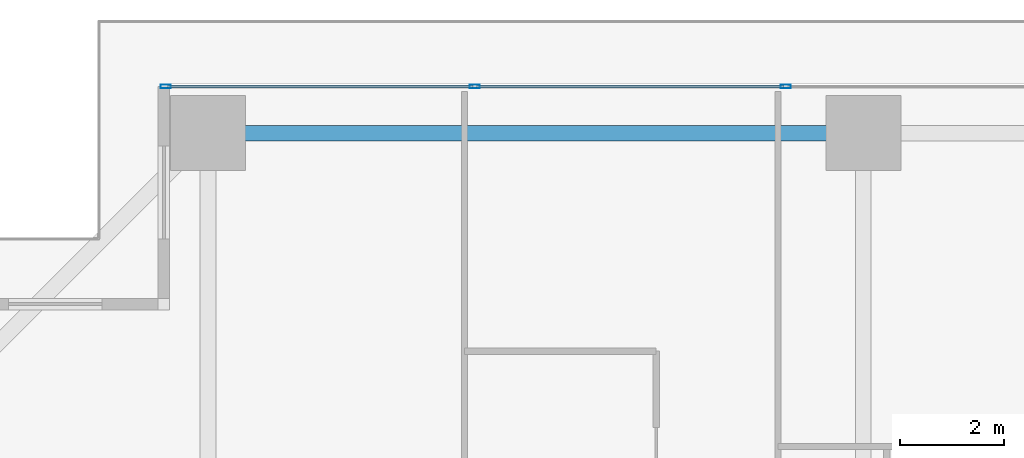
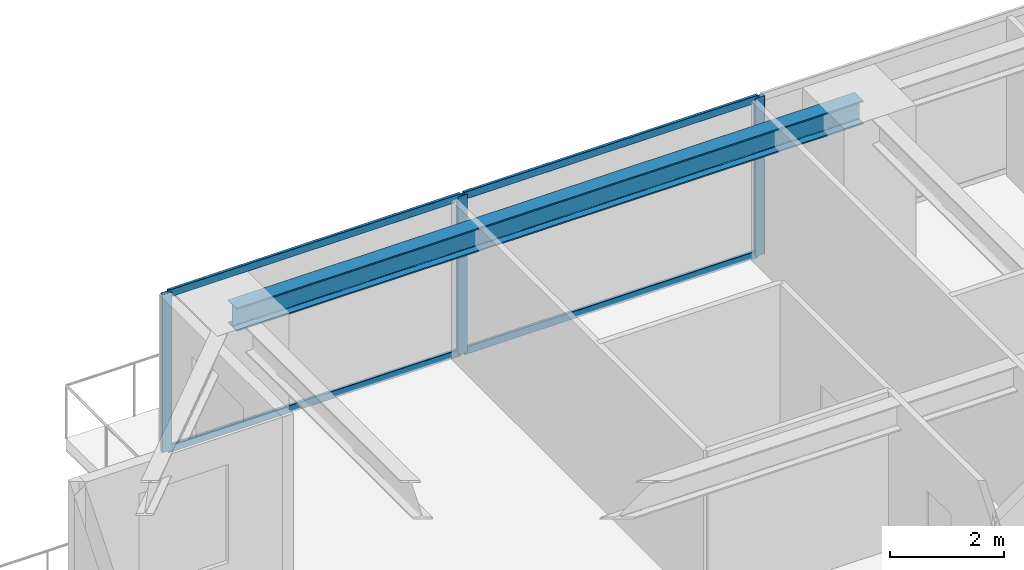
# One storey, part 20 of 40: 7 members, 1 beam, 1 element without a shape of its own.
"""IFC4 building model written with IfcOpenShell, lengths in metres."""

import ifcopenshell
import ifcopenshell.guid

model = None  # the IFC model being written
_history = None  # IfcOwnerHistory: only IFC2X3 demands one
_inside = {}  # id of a spatial element -> (the spatial element, [elements in it])
_under = {}  # id of a project, library or spatial element -> (it, [spatial elements below it])
_declared = {}  # id of a project -> (the project, [libraries it declares])
_typed = {}  # id of a type object -> (the type object, [elements of that type])
_made_of = {}  # id of a material, layer set ... -> (it, [elements and type objects made of it])


def new_model(schema):
    """Start an empty IFC model of exactly this schema.

    Asked for "IFC4X3", IfcOpenShell would pick the latest addendum, in which some entities
    have other attributes; the version numbers below select the first issue.
    IFC2X3 requires an IfcOwnerHistory on every rooted entity: one is made here for all.
    """
    global model, _history
    if schema == "IFC4X3":
        model = ifcopenshell.file(schema_version=(4, 3, 0, 0))
    else:
        model = ifcopenshell.file(schema=schema)
    _inside.clear()
    _under.clear()
    _declared.clear()
    _typed.clear()
    _made_of.clear()
    _history = None
    if model.schema == "IFC2X3":
        org = make("IfcOrganization", Name="unknown")
        user = make(
            "IfcPersonAndOrganization",
            ThePerson=make("IfcPerson", FamilyName="unknown"),
            TheOrganization=org,
        )
        app = make(
            "IfcApplication",
            ApplicationDeveloper=org,
            Version="unknown",
            ApplicationFullName="unknown",
            ApplicationIdentifier="unknown",
        )
        _history = make(
            "IfcOwnerHistory",
            OwningUser=user,
            OwningApplication=app,
            ChangeAction="ADDED",
            CreationDate=0,
        )
    return model


def make(cls, **values):
    """One entity of the class cls with the attributes given. An attribute that is None is left unset."""
    return model.create_entity(
        cls, **{name: value for name, value in values.items() if value is not None}
    )


def rooted(cls, **values):
    """An entity with a GlobalId (a new one), such as an element, a storey or a relation."""
    return make(cls, GlobalId=ifcopenshell.guid.new(), OwnerHistory=_history, **values)


def si_unit(unit_type, name, prefix=None):
    """IfcSIUnit, for example si_unit("LENGTHUNIT", "METRE", prefix="MILLI")."""
    return make("IfcSIUnit", UnitType=unit_type, Prefix=prefix, Name=name)


def assignment(units):
    """IfcUnitAssignment: the units of a project."""
    return None if units is None else make("IfcUnitAssignment", Units=units)


def point(xyz):
    """IfcCartesianPoint."""
    return None if xyz is None else make("IfcCartesianPoint", Coordinates=xyz)


def direction(xyz):
    """IfcDirection."""
    return None if xyz is None else make("IfcDirection", DirectionRatios=xyz)


def frame(location, z_axis=None, x_axis=None):
    """IfcAxis2Placement3D, a coordinate frame: its origin and axes. An axis left out is left unset."""
    return make(
        "IfcAxis2Placement3D",
        Location=point(location),
        Axis=direction(z_axis),
        RefDirection=direction(x_axis),
    )


def frame_2d(location, x_axis=None):
    """IfcAxis2Placement2D, a coordinate frame in the plane: its origin and x axis."""
    return make(
        "IfcAxis2Placement2D", Location=point(location), RefDirection=direction(x_axis)
    )


def origin():
    """The frame at (0, 0, 0) with its axes left unset."""
    return frame((0.0, 0.0, 0.0))


def origin_2d():
    """The frame at (0, 0) in the plane with its x axis left unset."""
    return frame_2d((0.0, 0.0))


def place(relative_to, where):
    """IfcLocalPlacement: puts the frame where relative to a parent placement (None: the world)."""
    return make(
        "IfcLocalPlacement", PlacementRelTo=relative_to, RelativePlacement=where
    )


def context(
    kind, dimensions, precision=None, world=None, true_north=None, identifier=None
):
    """IfcGeometricRepresentationContext, for example the 3D "Model" context."""
    return make(
        "IfcGeometricRepresentationContext",
        ContextIdentifier=identifier,
        ContextType=kind,
        CoordinateSpaceDimension=dimensions,
        Precision=precision,
        WorldCoordinateSystem=world,
        TrueNorth=true_north,
    )


def subcontext(parent, identifier, kind, view, scale=None):
    """IfcGeometricRepresentationSubContext, for example "Body" below "Model"."""
    return make(
        "IfcGeometricRepresentationSubContext",
        ContextIdentifier=identifier,
        ContextType=kind,
        ParentContext=parent,
        TargetScale=scale,
        TargetView=view,
    )


def project(units=None, contexts=None):
    """IfcProject with its units and contexts."""
    return rooted(
        "IfcProject",
        Name="project",
        RepresentationContexts=contexts,
        UnitsInContext=assignment(units),
    )


def spatial(cls, under=None, at=None, **own):
    """A site, building, storey or space (cls), placed at a placement, below another one or the project."""
    s = rooted(cls, ObjectPlacement=at, **own)
    if under is not None:
        _under.setdefault(under.id(), (under, []))[1].append(s)
    return s


def profile(cls, at=None, kind="AREA", **sizes):
    """A parametric profile (cls). Its sizes go by their IFC names, for example OverallWidth=200.0."""
    return make(cls, ProfileType=kind, Position=at, **sizes)


def hollow_rectangle(**sizes):
    """IfcRectangleHollowProfileDef."""
    return profile("IfcRectangleHollowProfileDef", **sizes)


def i_section(**sizes):
    """IfcIShapeProfileDef."""
    return profile("IfcIShapeProfileDef", **sizes)


def extrude(swept, where, along, depth):
    """IfcExtrudedAreaSolid: the profile swept, set in the frame where, extruded along a direction by depth."""
    return make(
        "IfcExtrudedAreaSolid",
        SweptArea=swept,
        Position=where,
        ExtrudedDirection=direction(along),
        Depth=depth,
    )


def shape(context_of_items, identifier, shape_type, items):
    """IfcShapeRepresentation: the items that make up one representation, for example the "Body"."""
    return make(
        "IfcShapeRepresentation",
        ContextOfItems=context_of_items,
        RepresentationIdentifier=identifier,
        RepresentationType=shape_type,
        Items=items,
    )


def source(mapping_origin, context_of_items, identifier, shape_type, items):
    """IfcRepresentationMap: a shape defined once, which mapped items show again and again."""
    return make(
        "IfcRepresentationMap",
        MappingOrigin=mapping_origin,
        MappedRepresentation=shape(context_of_items, identifier, shape_type, items),
    )


def transform(
    local_origin,
    x_axis=None,
    y_axis=None,
    z_axis=None,
    scale=None,
    scale2=None,
    scale3=None,
    uniform=True,
):
    """IfcCartesianTransformationOperator3D, or its non-uniform kind. x_axis, y_axis, z_axis: its Axis1, 2, 3."""
    if uniform:
        return make(
            "IfcCartesianTransformationOperator3D",
            Axis1=direction(x_axis),
            Axis2=direction(y_axis),
            LocalOrigin=point(local_origin),
            Scale=scale,
            Axis3=direction(z_axis),
        )
    return make(
        "IfcCartesianTransformationOperator3DnonUniform",
        Axis1=direction(x_axis),
        Axis2=direction(y_axis),
        LocalOrigin=point(local_origin),
        Scale=scale,
        Axis3=direction(z_axis),
        Scale2=scale2,
        Scale3=scale3,
    )


def mapped(mapping_source, mapping_target):
    """IfcMappedItem: shows the shape of a source again, moved by a transform."""
    return make(
        "IfcMappedItem", MappingSource=mapping_source, MappingTarget=mapping_target
    )


def material(Name=None, Category=None):
    """IfcMaterial."""
    return make("IfcMaterial", Name=Name, Category=Category)


def layer(
    of_material, thickness, ventilated=None, Name=None, Category=None, Priority=None
):
    """IfcMaterialLayer: one layer of a wall or slab, of a material (None: an air gap)."""
    return make(
        "IfcMaterialLayer",
        Material=of_material,
        LayerThickness=thickness,
        IsVentilated=ventilated,
        Name=Name,
        Category=Category,
        Priority=Priority,
    )


def layer_set(layers, Name=None):
    """IfcMaterialLayerSet."""
    return make("IfcMaterialLayerSet", MaterialLayers=layers, LayerSetName=Name)


def material_profile(
    of_material, cross_section, Name=None, Category=None, Priority=None
):
    """IfcMaterialProfile: a cross section and its material."""
    return make(
        "IfcMaterialProfile",
        Name=Name,
        Material=of_material,
        Profile=cross_section,
        Priority=Priority,
        Category=Category,
    )


def profile_set(profiles, Name=None, composite=None):
    """IfcMaterialProfileSet."""
    return make(
        "IfcMaterialProfileSet",
        Name=Name,
        MaterialProfiles=profiles,
        CompositeProfile=composite,
    )


def made_of(thing, what):
    """Note that an element or type object is made of a material, layer set ...; save() writes the relation."""
    if what is not None:
        _made_of.setdefault(what.id(), (what, []))[1].append(thing)
    return thing


def type_object(cls, material=None, **own):
    """A type object (cls), such as IfcWallType, which elements share."""
    return made_of(rooted(cls, **own), material)


def element(
    cls,
    number,
    at=None,
    inside=None,
    cuts=None,
    type_object=None,
    material=None,
    context=None,
    identifier="Body",
    shape_type=None,
    held_by="IfcProductDefinitionShape",
    body=None,
    shapes=None,
    **own,
):
    """One element of the class cls, such as IfcWall. Its Tag is "e" and its number.

    at: its placement. inside: the storey or other place that contains it. cuts: it is an
    opening in that element (IfcRelVoidsElement). A single representation is given by context,
    identifier, shape_type and body (its items); several are given by shapes. held_by: the class
    of the entity that holds the representations. save() writes the other relations.
    """
    e = rooted(cls, Tag="e%d" % number, ObjectPlacement=at, **own)
    if body is not None:
        shapes = [shape(context, identifier, shape_type, body)]
    if shapes is not None:
        e.Representation = make(held_by, Representations=shapes)
    if inside is not None:
        _inside.setdefault(inside.id(), (inside, []))[1].append(e)
    if cuts is not None:
        rooted(
            "IfcRelVoidsElement", RelatingBuildingElement=cuts, RelatedOpeningElement=e
        )
    if type_object is not None:
        _typed.setdefault(type_object.id(), (type_object, []))[1].append(e)
    return made_of(e, material)


def aggregate(whole, parts):
    """IfcRelAggregates: a whole, such as a stair, and the parts it consists of."""
    return rooted("IfcRelAggregates", RelatingObject=whole, RelatedObjects=parts)


def save(model, path):
    """Write the relations noted so far, then the file.

    IfcRelAggregates (storeys below a building ...), IfcRelContainedInSpatialStructure (elements
    in a storey), IfcRelDefinesByType, IfcRelAssociatesMaterial and IfcRelDeclares: one each for
    every whole, place, type object, material and project.
    """
    for whole, parts in _under.values():
        aggregate(whole, parts)
    for where, things in _inside.values():
        rooted(
            "IfcRelContainedInSpatialStructure",
            RelatedElements=things,
            RelatingStructure=where,
        )
    for kind, things in _typed.values():
        rooted("IfcRelDefinesByType", RelatedObjects=things, RelatingType=kind)
    for what, things in _made_of.values():
        rooted("IfcRelAssociatesMaterial", RelatedObjects=things, RelatingMaterial=what)
    for by, libraries in _declared.values():
        rooted("IfcRelDeclares", RelatingContext=by, RelatedDefinitions=libraries)
    model.write(path)


model = new_model("IFC4")

# Units and contexts
model_context = context("Model", 3, precision=1e-05, world=origin(), true_north=direction((0.0, 1.0)))
body_context = subcontext(model_context, "Body", "Model", "MODEL_VIEW")
ifc_project = project(units=[si_unit("LENGTHUNIT", "METRE"), si_unit("AREAUNIT", "SQUARE_METRE"), si_unit("VOLUMEUNIT", "CUBIC_METRE"), si_unit("PLANEANGLEUNIT", "RADIAN"), si_unit("MASSUNIT", "GRAM", prefix="KILO")], contexts=[model_context])

# Site, building, storey
site_placement = place(None, origin())
site = spatial("IfcSite", under=ifc_project, at=site_placement, CompositionType="ELEMENT")
building_placement = place(site_placement, origin())
building = spatial("IfcBuilding", under=site, at=building_placement, Name="Serunith Strait Residences", CompositionType="ELEMENT")
storey_placement = place(building_placement, frame((0.0, 0.0, 105.449951171875)))
storey = spatial("IfcBuildingStorey", under=building, at=storey_placement, Name="L26", CompositionType="ELEMENT", Elevation=105.449951171875)

# Beam
ifc_material_1 = material(Name="Steel S355J2", Category="steel")
ifc_material_profile_1 = material_profile(ifc_material_1, i_section(OverallWidth=0.300048828125, OverallDepth=0.5, WebThickness=0.014404296875, FlangeThickness=0.028076171875, FilletRadius=0.027099609375, at=origin_2d()), Name="HEB 500")
ifc_profile_set_1 = profile_set([ifc_material_profile_1], Name="Steel S355J2")
beam_type = type_object("IfcBeamType", Name="BM-HEB500", PredefinedType="BEAM", material=ifc_profile_set_1)
shared_shape_1 = source(origin(), body_context, "Body", "SweptSolid", [
    extrude(i_section(OverallWidth=0.300048828125, OverallDepth=0.5, WebThickness=0.014404296875, FlangeThickness=0.028076171875, FilletRadius=0.027099609375, at=origin_2d()), origin(), (0.0, 0.0, 1.0), 12.64990234375),
])
beam_placement = place(storey_placement, frame((27.89990234375, 49.300048828125, 3.136962890625), z_axis=(-1.0, 0.0, 0.0), x_axis=(0.0, -1.0, 0.0)))
element("IfcBeam", 1, at=beam_placement, inside=storey, type_object=beam_type, Name="L26 Perimeter Ring Beam 11", PredefinedType="BEAM", context=body_context, shape_type="MappedRepresentation", body=[
    mapped(shared_shape_1, transform((0.0, 0.0, 0.0), scale=1.0)),
])

# Curtain wall, members
ifc_material_2 = material(Name="Pale-Champagne Anodised Aluminium", Category="aluminium")
ifc_layer = layer(ifc_material_2, 0.199951171875, Name="Pale-Champagne Anodised Aluminium")
ifc_layer_set = layer_set([ifc_layer], Name="Pale-Champagne Anodised Aluminium")
curtain_wall_type = type_object("IfcCurtainWallType", Name="CW-SYS1", PredefinedType="NOTDEFINED", material=ifc_layer_set)
curtain_wall_placement = place(storey_placement, origin())
curtain_wall = element("IfcCurtainWall", 2, at=curtain_wall_placement, inside=storey, type_object=curtain_wall_type, Name="L26 N Unitised Fritted Curtain Wall", PredefinedType="NOTDEFINED")
ifc_material_profile_2 = material_profile(ifc_material_2, hollow_rectangle(XDim=0.06005859375, YDim=0.159912109375, WallThickness=0.00341796875, InnerFilletRadius=0.00537109375, OuterFilletRadius=0.0087890625, at=origin_2d()), Name="ALU 160x60x3.5")
ifc_profile_set_2 = profile_set([ifc_material_profile_2], Name="Pale-Champagne Anodised Aluminium")
member_type_1 = type_object("IfcMemberType", Name="CW-SYS1-TRAN", PredefinedType="USERDEFINED", material=ifc_profile_set_2)
shared_shape_2 = source(origin(), body_context, "Body", "SweptSolid", [
    extrude(hollow_rectangle(XDim=0.06005859375, YDim=0.159912109375, WallThickness=0.00341796875, InnerFilletRadius=0.00537109375, OuterFilletRadius=0.0087890625, at=origin_2d()), origin(), (0.0, 0.0, 1.0), 5.89501953125),
])
member_1_placement = place(storey_placement, frame((20.364990234375, 50.199951171875, 0.030029296875), z_axis=(-1.0, 0.0, 0.0), x_axis=(0.0, -1.0, 0.0)))
member_1 = element("IfcMember", 3, at=member_1_placement, type_object=member_type_1, Name="CW-1 transom 6.1", ObjectType="TRANSOM", PredefinedType="USERDEFINED", context=body_context, shape_type="MappedRepresentation", body=[
    mapped(shared_shape_2, transform((0.0, 0.0, 0.0), scale=1.0)),
])
member_2_placement = place(storey_placement, frame((20.364990234375, 50.199951171875, 3.344970703125), z_axis=(-1.0, 0.0, 0.0), x_axis=(0.0, -1.0, 0.0)))
member_2 = element("IfcMember", 4, at=member_2_placement, type_object=member_type_1, Name="CW-1 transom 6.2", ObjectType="TRANSOM", PredefinedType="USERDEFINED", context=body_context, shape_type="MappedRepresentation", body=[
    mapped(shared_shape_2, transform((0.0, 0.0, 0.0), scale=1.0)),
])
shared_shape_3 = source(origin(), body_context, "Body", "SweptSolid", [
    extrude(hollow_rectangle(XDim=0.06005859375, YDim=0.159912109375, WallThickness=0.00341796875, InnerFilletRadius=0.00537109375, OuterFilletRadius=0.0087890625, at=origin_2d()), origin(), (0.0, 0.0, 1.0), 5.929931640625),
])
member_3_placement = place(storey_placement, frame((26.364990234375, 50.199951171875, 0.030029296875), z_axis=(-1.0, 0.0, 0.0), x_axis=(0.0, -1.0, 0.0)))
member_3 = element("IfcMember", 5, at=member_3_placement, type_object=member_type_1, Name="CW-1 transom 5.1", ObjectType="TRANSOM", PredefinedType="USERDEFINED", context=body_context, shape_type="MappedRepresentation", body=[
    mapped(shared_shape_3, transform((0.0, 0.0, 0.0), scale=1.0)),
])
member_4_placement = place(storey_placement, frame((26.364990234375, 50.199951171875, 3.344970703125), z_axis=(-1.0, 0.0, 0.0), x_axis=(0.0, -1.0, 0.0)))
member_4 = element("IfcMember", 6, at=member_4_placement, type_object=member_type_1, Name="CW-1 transom 5.2", ObjectType="TRANSOM", PredefinedType="USERDEFINED", context=body_context, shape_type="MappedRepresentation", body=[
    mapped(shared_shape_3, transform((0.0, 0.0, 0.0), scale=1.0)),
])
ifc_material_profile_3 = material_profile(ifc_material_2, hollow_rectangle(XDim=0.070068359375, YDim=0.199951171875, WallThickness=0.00390625, InnerFilletRadius=0.006103515625, OuterFilletRadius=0.010009765625, at=origin_2d()), Name="ALU 200x70x4")
ifc_profile_set_3 = profile_set([ifc_material_profile_3], Name="Pale-Champagne Anodised Aluminium")
member_type_2 = type_object("IfcMemberType", Name="CW-SYS1-MULL", PredefinedType="MULLION", material=ifc_profile_set_3)
shared_shape_4 = source(origin(), body_context, "Body", "SweptSolid", [
    extrude(hollow_rectangle(XDim=0.070068359375, YDim=0.199951171875, WallThickness=0.00390625, InnerFilletRadius=0.006103515625, OuterFilletRadius=0.010009765625, at=origin_2d()), origin(), (0.0, 0.0, 1.0), 3.375),
])
member_5_placement = place(storey_placement, frame((26.39990234375, 50.199951171875, 0.0), z_axis=(0.0, 0.0, 1.0), x_axis=(0.0, -1.0, 0.0)))
member_5 = element("IfcMember", 7, at=member_5_placement, type_object=member_type_2, Name="CW-1 mullion 5", PredefinedType="MULLION", context=body_context, shape_type="MappedRepresentation", body=[
    mapped(shared_shape_4, transform((0.0, 0.0, 0.0), scale=1.0)),
])
member_6_placement = place(storey_placement, frame((20.39990234375, 50.199951171875, 0.0), z_axis=(0.0, 0.0, 1.0), x_axis=(0.0, -1.0, 0.0)))
member_6 = element("IfcMember", 8, at=member_6_placement, type_object=member_type_2, Name="CW-1 mullion 6", PredefinedType="MULLION", context=body_context, shape_type="MappedRepresentation", body=[
    mapped(shared_shape_4, transform((0.0, 0.0, 0.0), scale=1.0)),
])
member_7_placement = place(storey_placement, frame((14.43505859375, 50.199951171875, 0.0), z_axis=(0.0, 0.0, 1.0), x_axis=(0.0, -1.0, 0.0)))
member_7 = element("IfcMember", 9, at=member_7_placement, type_object=member_type_2, Name="CW-1 mullion 7", PredefinedType="MULLION", context=body_context, shape_type="MappedRepresentation", body=[
    mapped(shared_shape_4, transform((0.0, 0.0, 0.0), scale=1.0)),
])
aggregate(curtain_wall, [member_5, member_6, member_7, member_3, member_4, member_1, member_2])

save(model, "model.ifc")
